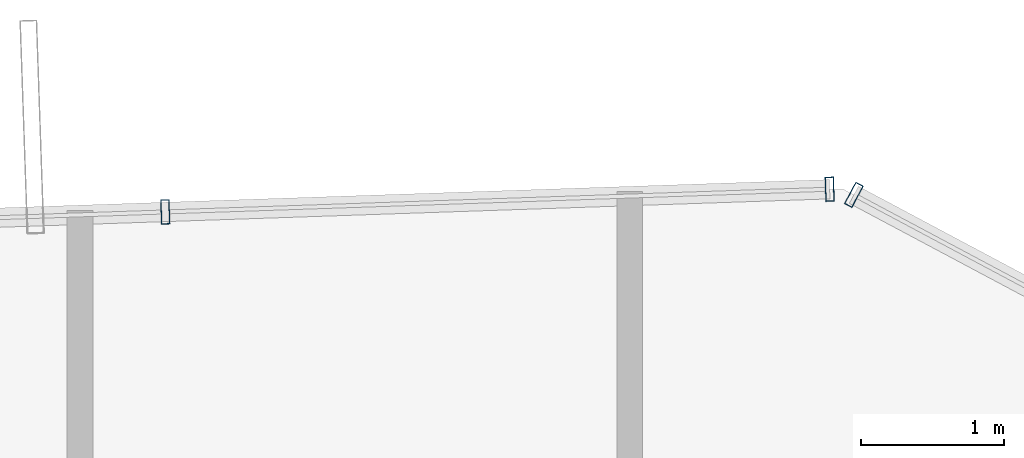
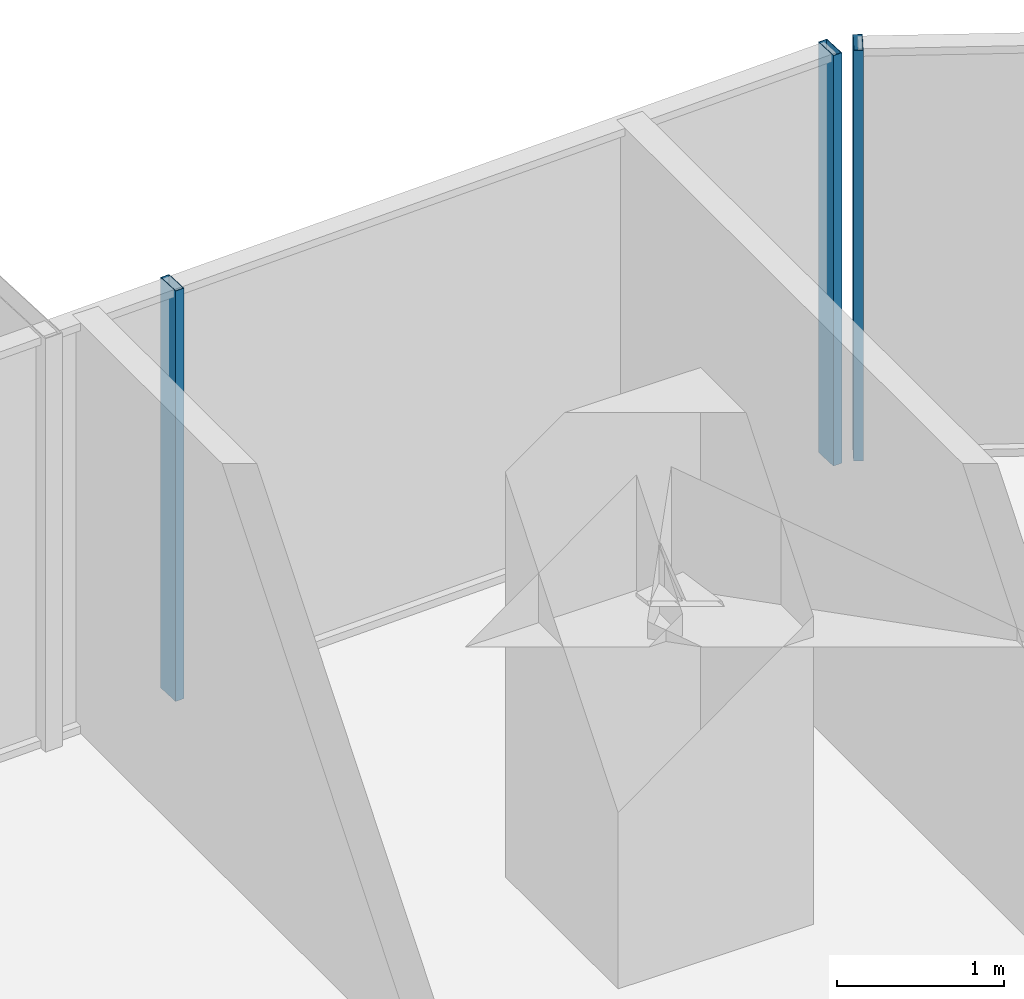
# One storey, part 29 of 39: 3 members, 2 elements without a shape of their own.
"""IFC4 building model written with IfcOpenShell, lengths in metres."""

import ifcopenshell
import ifcopenshell.guid

model = None  # the IFC model being written
_history = None  # IfcOwnerHistory: only IFC2X3 demands one
_inside = {}  # id of a spatial element -> (the spatial element, [elements in it])
_under = {}  # id of a project, library or spatial element -> (it, [spatial elements below it])
_declared = {}  # id of a project -> (the project, [libraries it declares])
_typed = {}  # id of a type object -> (the type object, [elements of that type])
_made_of = {}  # id of a material, layer set ... -> (it, [elements and type objects made of it])


def new_model(schema):
    """Start an empty IFC model of exactly this schema.

    Asked for "IFC4X3", IfcOpenShell would pick the latest addendum, in which some entities
    have other attributes; the version numbers below select the first issue.
    IFC2X3 requires an IfcOwnerHistory on every rooted entity: one is made here for all.
    """
    global model, _history
    if schema == "IFC4X3":
        model = ifcopenshell.file(schema_version=(4, 3, 0, 0))
    else:
        model = ifcopenshell.file(schema=schema)
    _inside.clear()
    _under.clear()
    _declared.clear()
    _typed.clear()
    _made_of.clear()
    _history = None
    if model.schema == "IFC2X3":
        org = make("IfcOrganization", Name="unknown")
        user = make(
            "IfcPersonAndOrganization",
            ThePerson=make("IfcPerson", FamilyName="unknown"),
            TheOrganization=org,
        )
        app = make(
            "IfcApplication",
            ApplicationDeveloper=org,
            Version="unknown",
            ApplicationFullName="unknown",
            ApplicationIdentifier="unknown",
        )
        _history = make(
            "IfcOwnerHistory",
            OwningUser=user,
            OwningApplication=app,
            ChangeAction="ADDED",
            CreationDate=0,
        )
    return model


def make(cls, **values):
    """One entity of the class cls with the attributes given. An attribute that is None is left unset."""
    return model.create_entity(
        cls, **{name: value for name, value in values.items() if value is not None}
    )


def rooted(cls, **values):
    """An entity with a GlobalId (a new one), such as an element, a storey or a relation."""
    return make(cls, GlobalId=ifcopenshell.guid.new(), OwnerHistory=_history, **values)


def si_unit(unit_type, name, prefix=None):
    """IfcSIUnit, for example si_unit("LENGTHUNIT", "METRE", prefix="MILLI")."""
    return make("IfcSIUnit", UnitType=unit_type, Prefix=prefix, Name=name)


def assignment(units):
    """IfcUnitAssignment: the units of a project."""
    return None if units is None else make("IfcUnitAssignment", Units=units)


def point(xyz):
    """IfcCartesianPoint."""
    return None if xyz is None else make("IfcCartesianPoint", Coordinates=xyz)


def direction(xyz):
    """IfcDirection."""
    return None if xyz is None else make("IfcDirection", DirectionRatios=xyz)


def frame(location, z_axis=None, x_axis=None):
    """IfcAxis2Placement3D, a coordinate frame: its origin and axes. An axis left out is left unset."""
    return make(
        "IfcAxis2Placement3D",
        Location=point(location),
        Axis=direction(z_axis),
        RefDirection=direction(x_axis),
    )


def frame_2d(location, x_axis=None):
    """IfcAxis2Placement2D, a coordinate frame in the plane: its origin and x axis."""
    return make(
        "IfcAxis2Placement2D", Location=point(location), RefDirection=direction(x_axis)
    )


def origin():
    """The frame at (0, 0, 0) with its axes left unset."""
    return frame((0.0, 0.0, 0.0))


def origin_2d():
    """The frame at (0, 0) in the plane with its x axis left unset."""
    return frame_2d((0.0, 0.0))


def place(relative_to, where):
    """IfcLocalPlacement: puts the frame where relative to a parent placement (None: the world)."""
    return make(
        "IfcLocalPlacement", PlacementRelTo=relative_to, RelativePlacement=where
    )


def context(
    kind, dimensions, precision=None, world=None, true_north=None, identifier=None
):
    """IfcGeometricRepresentationContext, for example the 3D "Model" context."""
    return make(
        "IfcGeometricRepresentationContext",
        ContextIdentifier=identifier,
        ContextType=kind,
        CoordinateSpaceDimension=dimensions,
        Precision=precision,
        WorldCoordinateSystem=world,
        TrueNorth=true_north,
    )


def subcontext(parent, identifier, kind, view, scale=None):
    """IfcGeometricRepresentationSubContext, for example "Body" below "Model"."""
    return make(
        "IfcGeometricRepresentationSubContext",
        ContextIdentifier=identifier,
        ContextType=kind,
        ParentContext=parent,
        TargetScale=scale,
        TargetView=view,
    )


def project(units=None, contexts=None):
    """IfcProject with its units and contexts."""
    return rooted(
        "IfcProject",
        Name="project",
        RepresentationContexts=contexts,
        UnitsInContext=assignment(units),
    )


def spatial(cls, under=None, at=None, **own):
    """A site, building, storey or space (cls), placed at a placement, below another one or the project."""
    s = rooted(cls, ObjectPlacement=at, **own)
    if under is not None:
        _under.setdefault(under.id(), (under, []))[1].append(s)
    return s


def profile(cls, at=None, kind="AREA", **sizes):
    """A parametric profile (cls). Its sizes go by their IFC names, for example OverallWidth=200.0."""
    return make(cls, ProfileType=kind, Position=at, **sizes)


def hollow_rectangle(**sizes):
    """IfcRectangleHollowProfileDef."""
    return profile("IfcRectangleHollowProfileDef", **sizes)


def extrude(swept, where, along, depth):
    """IfcExtrudedAreaSolid: the profile swept, set in the frame where, extruded along a direction by depth."""
    return make(
        "IfcExtrudedAreaSolid",
        SweptArea=swept,
        Position=where,
        ExtrudedDirection=direction(along),
        Depth=depth,
    )


def shape(context_of_items, identifier, shape_type, items):
    """IfcShapeRepresentation: the items that make up one representation, for example the "Body"."""
    return make(
        "IfcShapeRepresentation",
        ContextOfItems=context_of_items,
        RepresentationIdentifier=identifier,
        RepresentationType=shape_type,
        Items=items,
    )


def source(mapping_origin, context_of_items, identifier, shape_type, items):
    """IfcRepresentationMap: a shape defined once, which mapped items show again and again."""
    return make(
        "IfcRepresentationMap",
        MappingOrigin=mapping_origin,
        MappedRepresentation=shape(context_of_items, identifier, shape_type, items),
    )


def transform(
    local_origin,
    x_axis=None,
    y_axis=None,
    z_axis=None,
    scale=None,
    scale2=None,
    scale3=None,
    uniform=True,
):
    """IfcCartesianTransformationOperator3D, or its non-uniform kind. x_axis, y_axis, z_axis: its Axis1, 2, 3."""
    if uniform:
        return make(
            "IfcCartesianTransformationOperator3D",
            Axis1=direction(x_axis),
            Axis2=direction(y_axis),
            LocalOrigin=point(local_origin),
            Scale=scale,
            Axis3=direction(z_axis),
        )
    return make(
        "IfcCartesianTransformationOperator3DnonUniform",
        Axis1=direction(x_axis),
        Axis2=direction(y_axis),
        LocalOrigin=point(local_origin),
        Scale=scale,
        Axis3=direction(z_axis),
        Scale2=scale2,
        Scale3=scale3,
    )


def mapped(mapping_source, mapping_target):
    """IfcMappedItem: shows the shape of a source again, moved by a transform."""
    return make(
        "IfcMappedItem", MappingSource=mapping_source, MappingTarget=mapping_target
    )


def material(Name=None, Category=None):
    """IfcMaterial."""
    return make("IfcMaterial", Name=Name, Category=Category)


def layer(
    of_material, thickness, ventilated=None, Name=None, Category=None, Priority=None
):
    """IfcMaterialLayer: one layer of a wall or slab, of a material (None: an air gap)."""
    return make(
        "IfcMaterialLayer",
        Material=of_material,
        LayerThickness=thickness,
        IsVentilated=ventilated,
        Name=Name,
        Category=Category,
        Priority=Priority,
    )


def layer_set(layers, Name=None):
    """IfcMaterialLayerSet."""
    return make("IfcMaterialLayerSet", MaterialLayers=layers, LayerSetName=Name)


def material_profile(
    of_material, cross_section, Name=None, Category=None, Priority=None
):
    """IfcMaterialProfile: a cross section and its material."""
    return make(
        "IfcMaterialProfile",
        Name=Name,
        Material=of_material,
        Profile=cross_section,
        Priority=Priority,
        Category=Category,
    )


def profile_set(profiles, Name=None, composite=None):
    """IfcMaterialProfileSet."""
    return make(
        "IfcMaterialProfileSet",
        Name=Name,
        MaterialProfiles=profiles,
        CompositeProfile=composite,
    )


def made_of(thing, what):
    """Note that an element or type object is made of a material, layer set ...; save() writes the relation."""
    if what is not None:
        _made_of.setdefault(what.id(), (what, []))[1].append(thing)
    return thing


def type_object(cls, material=None, **own):
    """A type object (cls), such as IfcWallType, which elements share."""
    return made_of(rooted(cls, **own), material)


def element(
    cls,
    number,
    at=None,
    inside=None,
    cuts=None,
    type_object=None,
    material=None,
    context=None,
    identifier="Body",
    shape_type=None,
    held_by="IfcProductDefinitionShape",
    body=None,
    shapes=None,
    **own,
):
    """One element of the class cls, such as IfcWall. Its Tag is "e" and its number.

    at: its placement. inside: the storey or other place that contains it. cuts: it is an
    opening in that element (IfcRelVoidsElement). A single representation is given by context,
    identifier, shape_type and body (its items); several are given by shapes. held_by: the class
    of the entity that holds the representations. save() writes the other relations.
    """
    e = rooted(cls, Tag="e%d" % number, ObjectPlacement=at, **own)
    if body is not None:
        shapes = [shape(context, identifier, shape_type, body)]
    if shapes is not None:
        e.Representation = make(held_by, Representations=shapes)
    if inside is not None:
        _inside.setdefault(inside.id(), (inside, []))[1].append(e)
    if cuts is not None:
        rooted(
            "IfcRelVoidsElement", RelatingBuildingElement=cuts, RelatedOpeningElement=e
        )
    if type_object is not None:
        _typed.setdefault(type_object.id(), (type_object, []))[1].append(e)
    return made_of(e, material)


def aggregate(whole, parts):
    """IfcRelAggregates: a whole, such as a stair, and the parts it consists of."""
    return rooted("IfcRelAggregates", RelatingObject=whole, RelatedObjects=parts)


def save(model, path):
    """Write the relations noted so far, then the file.

    IfcRelAggregates (storeys below a building ...), IfcRelContainedInSpatialStructure (elements
    in a storey), IfcRelDefinesByType, IfcRelAssociatesMaterial and IfcRelDeclares: one each for
    every whole, place, type object, material and project.
    """
    for whole, parts in _under.values():
        aggregate(whole, parts)
    for where, things in _inside.values():
        rooted(
            "IfcRelContainedInSpatialStructure",
            RelatedElements=things,
            RelatingStructure=where,
        )
    for kind, things in _typed.values():
        rooted("IfcRelDefinesByType", RelatedObjects=things, RelatingType=kind)
    for what, things in _made_of.values():
        rooted("IfcRelAssociatesMaterial", RelatedObjects=things, RelatingMaterial=what)
    for by, libraries in _declared.values():
        rooted("IfcRelDeclares", RelatingContext=by, RelatedDefinitions=libraries)
    model.write(path)


model = new_model("IFC4")

# Units and contexts
model_context = context("Model", 3, precision=1e-05, world=origin(), true_north=direction((0.0, 1.0)))
body_context = subcontext(model_context, "Body", "Model", "MODEL_VIEW")
ifc_project = project(units=[si_unit("LENGTHUNIT", "METRE"), si_unit("AREAUNIT", "SQUARE_METRE"), si_unit("VOLUMEUNIT", "CUBIC_METRE"), si_unit("PLANEANGLEUNIT", "RADIAN"), si_unit("MASSUNIT", "GRAM", prefix="KILO")], contexts=[model_context])

# Site, building, storey
site_placement = place(None, origin())
site = spatial("IfcSite", under=ifc_project, at=site_placement, CompositionType="ELEMENT")
building_placement = place(site_placement, origin())
building = spatial("IfcBuilding", under=site, at=building_placement, Name="Veraguas Prism Commons", CompositionType="ELEMENT")
storey_placement = place(building_placement, frame((0.0, 0.0, 30.550048828125)))
storey = spatial("IfcBuildingStorey", under=building, at=storey_placement, Name="L07", CompositionType="ELEMENT", Elevation=30.550048828125)

# Curtain wall, members
ifc_material = material(Name="Anodised aluminium EN AW-6063 T6", Category="aluminium")
ifc_layer = layer(ifc_material, 0.169921875, Name="Unitised Flush Curtain Wall Zone 1", Category="aluminium")
ifc_layer_set = layer_set([ifc_layer], Name="Anodised aluminium EN AW-6063 T6")
curtain_wall_type = type_object("IfcCurtainWallType", Name="Unitised Flush Curtain Wall Zone 1", PredefinedType="NOTDEFINED", material=ifc_layer_set)
curtain_wall_1_placement = place(storey_placement, origin())
curtain_wall_1 = element("IfcCurtainWall", 1, at=curtain_wall_1_placement, inside=storey, type_object=curtain_wall_type, Name="Tower Facade Curtain Wall L07-F2", PredefinedType="NOTDEFINED")
ifc_material_profile = material_profile(ifc_material, hollow_rectangle(XDim=0.06005859375, YDim=0.169921875, WallThickness=0.00390625, at=origin_2d()), Name="AL60X170X4")
ifc_profile_set = profile_set([ifc_material_profile], Name="Anodised aluminium EN AW-6063 T6")
member_type = type_object("IfcMemberType", Name="Curtain Wall Mullion Lower AL 60x170x4", PredefinedType="MULLION", material=ifc_profile_set)
shared_shape = source(origin(), body_context, "Body", "SweptSolid", [
    extrude(hollow_rectangle(XDim=0.06005859375, YDim=0.169921875, WallThickness=0.00390625, at=origin_2d()), origin(), (0.0, 0.0, 1.0), 3.0),
])
member_1_placement = place(storey_placement, frame((32.595703125, 45.0908203125, 0.0), z_axis=(0.0, 0.0, 1.0), x_axis=(-0.999415186666, -0.034194804603, 0.0)))
member_1 = element("IfcMember", 2, at=member_1_placement, type_object=member_type, Name="CW-Z1 Mullion 1", PredefinedType="MULLION", context=body_context, shape_type="MappedRepresentation", body=[
    mapped(shared_shape, transform((0.0, 0.0, 0.0), scale=1.0)),
])
member_2_placement = place(storey_placement, frame((27.957275390625, 44.93212890625, 0.0), z_axis=(0.0, 0.0, 1.0), x_axis=(-0.999415186666, -0.034194804603, 0.0)))
member_2 = element("IfcMember", 3, at=member_2_placement, type_object=member_type, Name="CW-Z1 Mullion 2", PredefinedType="MULLION", context=body_context, shape_type="MappedRepresentation", body=[
    mapped(shared_shape, transform((0.0, 0.0, 0.0), scale=1.0)),
])
aggregate(curtain_wall_1, [member_1, member_2])

# Curtain wall, member
curtain_wall_2_placement = place(storey_placement, origin())
curtain_wall_2 = element("IfcCurtainWall", 4, at=curtain_wall_2_placement, inside=storey, type_object=curtain_wall_type, Name="Chamfer Curtain Wall L07-C2", PredefinedType="NOTDEFINED")
member_3_placement = place(storey_placement, frame((32.76513671875, 45.0517578125, 0.0), z_axis=(0.0, 0.0, 1.0), x_axis=(-0.882609779045, 0.470106347472, 0.0)))
member_3 = element("IfcMember", 5, at=member_3_placement, type_object=member_type, Name="CW-Z1 Mullion 2", PredefinedType="MULLION", context=body_context, shape_type="MappedRepresentation", body=[
    mapped(shared_shape, transform((0.0, 0.0, 0.0), scale=1.0)),
])
aggregate(curtain_wall_2, [member_3])

save(model, "model.ifc")
